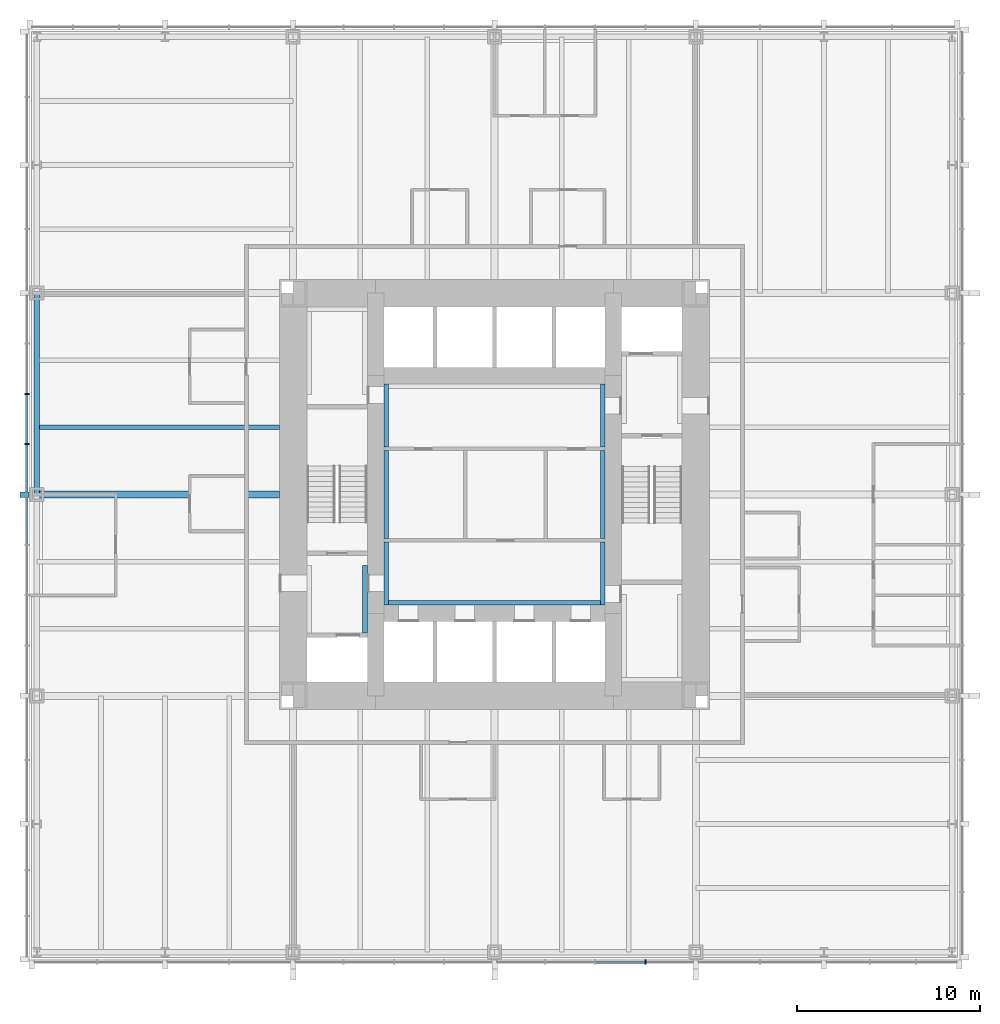
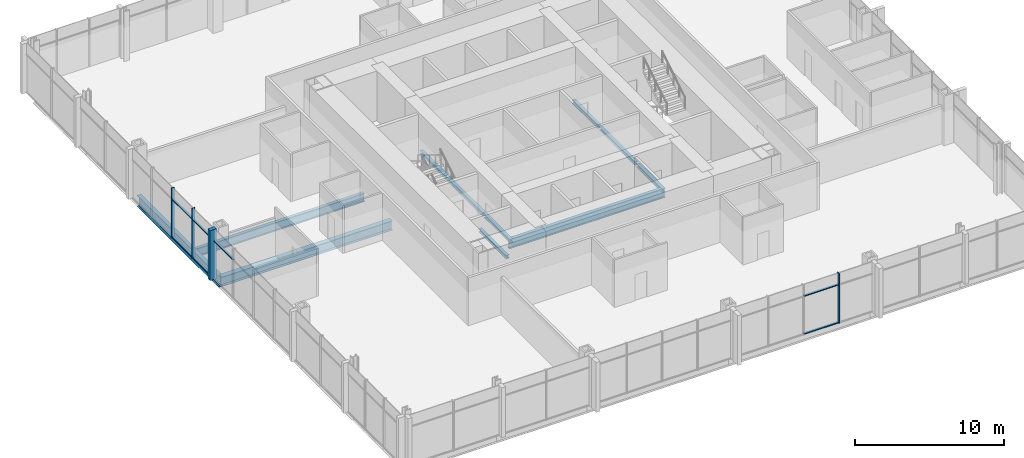
# One storey, part 3 of 12: 11 beams, 11 members, 2 elements without a shape of their own.
"""IFC4 building model written with IfcOpenShell, lengths in metres."""

from ifc_helpers import new_model, si_unit, direction, frame, origin, origin_2d, place, context, subcontext, project, spatial, rectangle, i_section, extrude, material, material_profile, profile_set, type_object, element, aggregate, save


model = new_model("IFC4")

# Units and contexts
model_context = context("Model", 3, precision=1e-05, world=origin(), true_north=direction((0.0, 1.0)))
body_context = subcontext(model_context, "Body", "Model", "MODEL_VIEW")
ifc_project = project(units=[si_unit("LENGTHUNIT", "METRE"), si_unit("AREAUNIT", "SQUARE_METRE"), si_unit("VOLUMEUNIT", "CUBIC_METRE"), si_unit("PLANEANGLEUNIT", "RADIAN"), si_unit("MASSUNIT", "GRAM", prefix="KILO")], contexts=[model_context])

# Site, building, storey
site_placement = place(None, origin())
site = spatial("IfcSite", under=ifc_project, at=site_placement, CompositionType="ELEMENT")
building_placement = place(site_placement, origin())
building = spatial("IfcBuilding", under=site, at=building_placement, Name="Trevanion Tower", CompositionType="ELEMENT")
storey_placement = place(building_placement, frame((0.0, 0.0, 24.199951171875)))
storey = spatial("IfcBuildingStorey", under=building, at=storey_placement, Name="L05", CompositionType="ELEMENT", Elevation=24.199951171875)

# Beam
ifc_material_1 = material(Name="Steel ASTM A992 Grade 50", Category="steel")
ifc_material_profile_1 = material_profile(ifc_material_1, i_section(OverallWidth=0.25390625, OverallDepth=0.700927734375, WebThickness=0.015380859375, FlangeThickness=0.02783203125, at=origin_2d()), Name="W27X129")
ifc_profile_set_1 = profile_set([ifc_material_profile_1], Name="Steel ASTM A992 Grade 50")
beam_type_1 = type_object("IfcBeamType", Name="B3 W27X129", PredefinedType="BEAM", material=ifc_profile_set_1)
beam_1_placement = place(storey_placement, frame((-11.75, 3.666748046875, -0.54052734375), z_axis=(-1.0, 0.0, 0.0), x_axis=(0.0, -1.0, 0.0)))
element("IfcBeam", 1, at=beam_1_placement, inside=storey, type_object=beam_type_1, Name="B3 L05", PredefinedType="BEAM", context=body_context, shape_type="SweptSolid", body=[
    extrude(i_section(OverallWidth=0.25390625, OverallDepth=0.700927734375, WebThickness=0.015380859375, FlangeThickness=0.02783203125, at=origin_2d()), origin(), (0.0, 0.0, 1.0), 13.25),
])

# Curtain wall, members
ifc_material_2 = material(Name="Aluminium and glass", Category="aluminium")
curtain_wall_type = type_object("IfcCurtainWallType", Name="CW1 curtain wall", PredefinedType="USERDEFINED", material=ifc_material_2)
curtain_wall_1_placement = place(storey_placement, origin())
curtain_wall_1 = element("IfcCurtainWall", 2, at=curtain_wall_1_placement, inside=storey, type_object=curtain_wall_type, Name="CW1 L05 2", ObjectType="UNITISED CURTAIN WALL", PredefinedType="USERDEFINED")
ifc_material_3 = material(Name="Aluminium extrusion, anodised bronze", Category="aluminium")
ifc_material_profile_2 = material_profile(ifc_material_3, rectangle(XDim=0.074951171875, YDim=0.25, at=origin_2d()), Name="CW1 mullion")
ifc_profile_set_2 = profile_set([ifc_material_profile_2], Name="Aluminium extrusion, anodised bronze")
member_type_1 = type_object("IfcMemberType", Name="CW1 mullion", PredefinedType="MULLION", material=ifc_profile_set_2)
member_1_placement = place(storey_placement, frame((-25.550048828125, 5.5, -0.18994140625), z_axis=(0.0, 0.0, 1.0), x_axis=(0.0, -1.0, 0.0)))
member_1 = element("IfcMember", 3, at=member_1_placement, type_object=member_type_1, Name="CW1 mullion 7", PredefinedType="MULLION", context=body_context, shape_type="SweptSolid", body=[
    extrude(rectangle(XDim=0.074951171875, YDim=0.25, at=origin_2d()), origin(), (0.0, 0.0, 1.0), 4.10009765625),
])
member_2_placement = place(storey_placement, frame((-25.550048828125, 2.75, -0.18994140625), z_axis=(0.0, 0.0, 1.0), x_axis=(0.0, -1.0, 0.0)))
member_2 = element("IfcMember", 4, at=member_2_placement, type_object=member_type_1, Name="CW1 mullion 8", PredefinedType="MULLION", context=body_context, shape_type="SweptSolid", body=[
    extrude(rectangle(XDim=0.074951171875, YDim=0.25, at=origin_2d()), origin(), (0.0, 0.0, 1.0), 4.10009765625),
])

# Curtain wall, member
curtain_wall_2_placement = place(storey_placement, origin())
curtain_wall_2 = element("IfcCurtainWall", 5, at=curtain_wall_2_placement, inside=storey, type_object=curtain_wall_type, Name="CW1 L05 3", ObjectType="UNITISED CURTAIN WALL", PredefinedType="USERDEFINED")
member_3_placement = place(storey_placement, frame((8.25, -25.550048828125, -0.18994140625), z_axis=(0.0, 0.0, 1.0), x_axis=(1.0, 0.0, 0.0)))
member_3 = element("IfcMember", 6, at=member_3_placement, type_object=member_type_1, Name="CW1 mullion 12", PredefinedType="MULLION", context=body_context, shape_type="SweptSolid", body=[
    extrude(rectangle(XDim=0.074951171875, YDim=0.25, at=origin_2d()), origin(), (0.0, 0.0, 1.0), 4.10009765625),
])

# Member
ifc_material_4 = material(Name="Aluminium extrusion, anodised bronze", Category="aluminium")
ifc_material_profile_3 = material_profile(ifc_material_4, rectangle(XDim=0.300048828125, YDim=0.5, at=origin_2d()), Name="CW1 pier mullion")
ifc_profile_set_3 = profile_set([ifc_material_profile_3], Name="Aluminium extrusion, anodised bronze")
member_type_2 = type_object("IfcMemberType", Name="CW1 pier mullion", PredefinedType="MULLION", material=ifc_profile_set_3)
member_4_placement = place(storey_placement, frame((-25.675048828125, 0.0, -0.18994140625), z_axis=(0.0, 0.0, 1.0), x_axis=(0.0, -1.0, 0.0)))
member_4 = element("IfcMember", 7, at=member_4_placement, type_object=member_type_2, Name="CW1 pier mullion 9", PredefinedType="MULLION", context=body_context, shape_type="SweptSolid", body=[
    extrude(rectangle(XDim=0.300048828125, YDim=0.5, at=origin_2d()), origin(), (0.0, 0.0, 1.0), 4.10009765625),
])

ifc_material_5 = material(Name="Aluminium extrusion, anodised bronze", Category="aluminium")
ifc_material_profile_4 = material_profile(ifc_material_5, rectangle(XDim=0.14990234375, YDim=0.074951171875, at=origin_2d()), Name="CW1 transom")
ifc_profile_set_4 = profile_set([ifc_material_profile_4], Name="Aluminium extrusion, anodised bronze")
member_type_3 = type_object("IfcMemberType", Name="CW1 transom", PredefinedType="USERDEFINED", material=ifc_profile_set_4)
member_5_placement = place(storey_placement, frame((-25.550048828125, 5.46240234375, -0.15234375), z_axis=(0.0, -1.0, 0.0), x_axis=(1.0, 0.0, 0.0)))
member_5 = element("IfcMember", 8, at=member_5_placement, type_object=member_type_3, Name="CW1 transom 7.1", ObjectType="TRANSOM", PredefinedType="USERDEFINED", context=body_context, shape_type="SweptSolid", body=[
    extrude(rectangle(XDim=0.14990234375, YDim=0.074951171875, at=origin_2d()), origin(), (0.0, 0.0, 1.0), 2.6748046875),
])

member_6_placement = place(storey_placement, frame((-25.550048828125, 5.46240234375, 2.9599609375), z_axis=(0.0, -1.0, 0.0), x_axis=(1.0, 0.0, 0.0)))
member_6 = element("IfcMember", 9, at=member_6_placement, type_object=member_type_3, Name="CW1 transom 7.2", ObjectType="TRANSOM", PredefinedType="USERDEFINED", context=body_context, shape_type="SweptSolid", body=[
    extrude(rectangle(XDim=0.14990234375, YDim=0.074951171875, at=origin_2d()), origin(), (0.0, 0.0, 1.0), 2.6748046875),
])

member_7_placement = place(storey_placement, frame((-25.550048828125, 2.71240234375, -0.15234375), z_axis=(0.0, -1.0, 0.0), x_axis=(1.0, 0.0, 0.0)))
member_7 = element("IfcMember", 10, at=member_7_placement, type_object=member_type_3, Name="CW1 transom 8.1", ObjectType="TRANSOM", PredefinedType="USERDEFINED", context=body_context, shape_type="SweptSolid", body=[
    extrude(rectangle(XDim=0.14990234375, YDim=0.074951171875, at=origin_2d()), origin(), (0.0, 0.0, 1.0), 2.5625),
])

member_8_placement = place(storey_placement, frame((-25.550048828125, 2.71240234375, 2.9599609375), z_axis=(0.0, -1.0, 0.0), x_axis=(1.0, 0.0, 0.0)))
member_8 = element("IfcMember", 11, at=member_8_placement, type_object=member_type_3, Name="CW1 transom 8.2", ObjectType="TRANSOM", PredefinedType="USERDEFINED", context=body_context, shape_type="SweptSolid", body=[
    extrude(rectangle(XDim=0.14990234375, YDim=0.074951171875, at=origin_2d()), origin(), (0.0, 0.0, 1.0), 2.5625),
])

member_9_placement = place(storey_placement, frame((-25.550048828125, -0.14990234375, 2.9599609375), z_axis=(0.0, -1.0, 0.0), x_axis=(1.0, 0.0, 0.0)))
member_9 = element("IfcMember", 12, at=member_9_placement, type_object=member_type_3, Name="CW1 transom 9.2", ObjectType="TRANSOM", PredefinedType="USERDEFINED", context=body_context, shape_type="SweptSolid", body=[
    extrude(rectangle(XDim=0.14990234375, YDim=0.074951171875, at=origin_2d()), origin(), (0.0, 0.0, 1.0), 2.5625),
])

aggregate(curtain_wall_1, [member_1, member_2, member_4, member_5, member_6, member_7, member_8, member_9])

member_10_placement = place(storey_placement, frame((5.53759765625, -25.550048828125, -0.15234375), z_axis=(1.0, 0.0, 0.0), x_axis=(0.0, 1.0, 0.0)))
member_10 = element("IfcMember", 13, at=member_10_placement, type_object=member_type_3, Name="CW1 transom 11.1", ObjectType="TRANSOM", PredefinedType="USERDEFINED", context=body_context, shape_type="SweptSolid", body=[
    extrude(rectangle(XDim=0.14990234375, YDim=0.074951171875, at=origin_2d()), origin(), (0.0, 0.0, 1.0), 2.6748046875),
])

member_11_placement = place(storey_placement, frame((5.53759765625, -25.550048828125, 2.9599609375), z_axis=(1.0, 0.0, 0.0), x_axis=(0.0, 1.0, 0.0)))
member_11 = element("IfcMember", 14, at=member_11_placement, type_object=member_type_3, Name="CW1 transom 11.2", ObjectType="TRANSOM", PredefinedType="USERDEFINED", context=body_context, shape_type="SweptSolid", body=[
    extrude(rectangle(XDim=0.14990234375, YDim=0.074951171875, at=origin_2d()), origin(), (0.0, 0.0, 1.0), 2.6748046875),
])

aggregate(curtain_wall_2, [member_3, member_10, member_11])

# Beams
ifc_material_6 = material(Name="Steel ASTM A992 Grade 50", Category="steel")
ifc_material_profile_5 = material_profile(ifc_material_6, i_section(OverallWidth=0.381103515625, OverallDepth=0.77978515625, WebThickness=0.01806640625, FlangeThickness=0.0302734375, at=origin_2d()), Name="W30X191")
ifc_profile_set_5 = profile_set([ifc_material_profile_5], Name="Steel ASTM A992 Grade 50")
beam_type_2 = type_object("IfcBeamType", Name="G2 W30X191", PredefinedType="BEAM", material=ifc_profile_set_5)
beam_2_placement = place(storey_placement, frame((-11.75, 0.0, -0.579833984375), z_axis=(-1.0, 0.0, 0.0), x_axis=(0.0, -1.0, 0.0)))
element("IfcBeam", 15, at=beam_2_placement, inside=storey, type_object=beam_type_2, Name="G2 L05", PredefinedType="BEAM", context=body_context, shape_type="SweptSolid", body=[
    extrude(i_section(OverallWidth=0.381103515625, OverallDepth=0.77978515625, WebThickness=0.01806640625, FlangeThickness=0.0302734375, at=origin_2d()), origin(), (0.0, 0.0, 1.0), 13.25),
])
ifc_material_7 = material(Name="Steel ASTM A992 Grade 50", Category="steel")
ifc_material_profile_6 = material_profile(ifc_material_7, i_section(OverallWidth=0.256591796875, OverallDepth=0.26416015625, WebThickness=0.011962890625, FlangeThickness=0.01953125, at=origin_2d()), Name="W10X68")
ifc_profile_set_6 = profile_set([ifc_material_profile_6], Name="Steel ASTM A992 Grade 50")
beam_type_3 = type_object("IfcBeamType", Name="LB1 W10X68", PredefinedType="BEAM", material=ifc_profile_set_6)
for number, where, z_axis, x_axis, name in (
    (16, (-5.921630859375, 2.60009765625, -0.33203125), (0.0, 1.0, 0.0), (-1.0, 0.0, 0.0), "LB1 L05"),
    (17, (5.921630859375, 2.60009765625, -0.33203125), (0.0, 1.0, 0.0), (-1.0, 0.0, 0.0), "LB1 L05"),
    (18, (-5.921630859375, -6.050048828125, -0.33203125), (0.0, 1.0, 0.0), (-1.0, 0.0, 0.0), "LB1 L05"),
    (19, (5.921630859375, -6.050048828125, -0.33203125), (0.0, 1.0, 0.0), (-1.0, 0.0, 0.0), "LB1 L05"),
):
    element("IfcBeam", number, at=place(storey_placement, frame(where, z_axis=z_axis, x_axis=x_axis)), inside=storey, type_object=beam_type_3, Name=name, PredefinedType="BEAM", context=body_context, shape_type="SweptSolid", body=[
        extrude(i_section(OverallWidth=0.256591796875, OverallDepth=0.26416015625, WebThickness=0.011962890625, FlangeThickness=0.01953125, at=origin_2d()), origin(), (0.0, 0.0, 1.0), 3.449951171875),
    ])
beam_3_placement = place(storey_placement, frame((-7.078369140625, -7.574951171875, -0.33203125), z_axis=(0.0, 1.0, 0.0), x_axis=(-1.0, 0.0, 0.0)))
element("IfcBeam", 20, at=beam_3_placement, inside=storey, type_object=beam_type_3, Name="LB1 L05", PredefinedType="BEAM", context=body_context, shape_type="SweptSolid", body=[
    extrude(i_section(OverallWidth=0.256591796875, OverallDepth=0.26416015625, WebThickness=0.011962890625, FlangeThickness=0.01953125, at=origin_2d()), origin(), (0.0, 0.0, 1.0), 3.699951171875),
])
for number, where, z_axis, x_axis, name in (
    (21, (-5.921630859375, -2.39990234375, -0.33203125), (0.0, 1.0, 0.0), (-1.0, 0.0, 0.0), "LB1 L05"),
    (22, (5.921630859375, -2.39990234375, -0.33203125), (0.0, 1.0, 0.0), (-1.0, 0.0, 0.0), "LB1 L05"),
):
    element("IfcBeam", number, at=place(storey_placement, frame(where, z_axis=z_axis, x_axis=x_axis)), inside=storey, type_object=beam_type_3, Name=name, PredefinedType="BEAM", context=body_context, shape_type="SweptSolid", body=[
        extrude(i_section(OverallWidth=0.256591796875, OverallDepth=0.26416015625, WebThickness=0.011962890625, FlangeThickness=0.01953125, at=origin_2d()), origin(), (0.0, 0.0, 1.0), 4.7998046875),
    ])
ifc_material_8 = material(Name="Steel ASTM A992 Grade 50", Category="steel")
ifc_material_profile_7 = material_profile(ifc_material_8, i_section(OverallWidth=0.2666015625, OverallDepth=0.76953125, WebThickness=0.015625, FlangeThickness=0.025390625, at=origin_2d()), Name="W30X132")
ifc_profile_set_7 = profile_set([ifc_material_profile_7], Name="Steel ASTM A992 Grade 50")
beam_type_4 = type_object("IfcBeamType", Name="LB3 W30X132", PredefinedType="BEAM", material=ifc_profile_set_7)
beam_4_placement = place(storey_placement, frame((-6.050048828125, -5.91650390625, -0.584716796875), z_axis=(1.0, 0.0, 0.0), x_axis=(0.0, 1.0, 0.0)))
element("IfcBeam", 23, at=beam_4_placement, inside=storey, type_object=beam_type_4, Name="LB3 L05", PredefinedType="BEAM", context=body_context, shape_type="SweptSolid", body=[
    extrude(i_section(OverallWidth=0.2666015625, OverallDepth=0.76953125, WebThickness=0.015625, FlangeThickness=0.025390625, at=origin_2d()), origin(), (0.0, 0.0, 1.0), 12.10009765625),
])
ifc_material_9 = material(Name="Steel ASTM A992 Grade 50", Category="steel")
ifc_material_profile_8 = material_profile(ifc_material_9, i_section(OverallWidth=0.307373046875, OverallDepth=0.927001953125, WebThickness=0.01953125, FlangeThickness=0.031982421875, at=origin_2d()), Name="W36X194")
ifc_profile_set_8 = profile_set([ifc_material_profile_8], Name="Steel ASTM A992 Grade 50")
beam_type_5 = type_object("IfcBeamType", Name="SB2 W36X194", PredefinedType="SPANDREL", material=ifc_profile_set_8)
beam_5_placement = place(storey_placement, frame((-25.0, 11.0, -0.653564453125), z_axis=(0.0, -1.0, 0.0), x_axis=(1.0, 0.0, 0.0)))
element("IfcBeam", 24, at=beam_5_placement, inside=storey, type_object=beam_type_5, Name="SB2 L05", PredefinedType="SPANDREL", context=body_context, shape_type="SweptSolid", body=[
    extrude(i_section(OverallWidth=0.307373046875, OverallDepth=0.927001953125, WebThickness=0.01953125, FlangeThickness=0.031982421875, at=origin_2d()), origin(), (0.0, 0.0, 1.0), 11.0),
])

save(model, "model.ifc")
